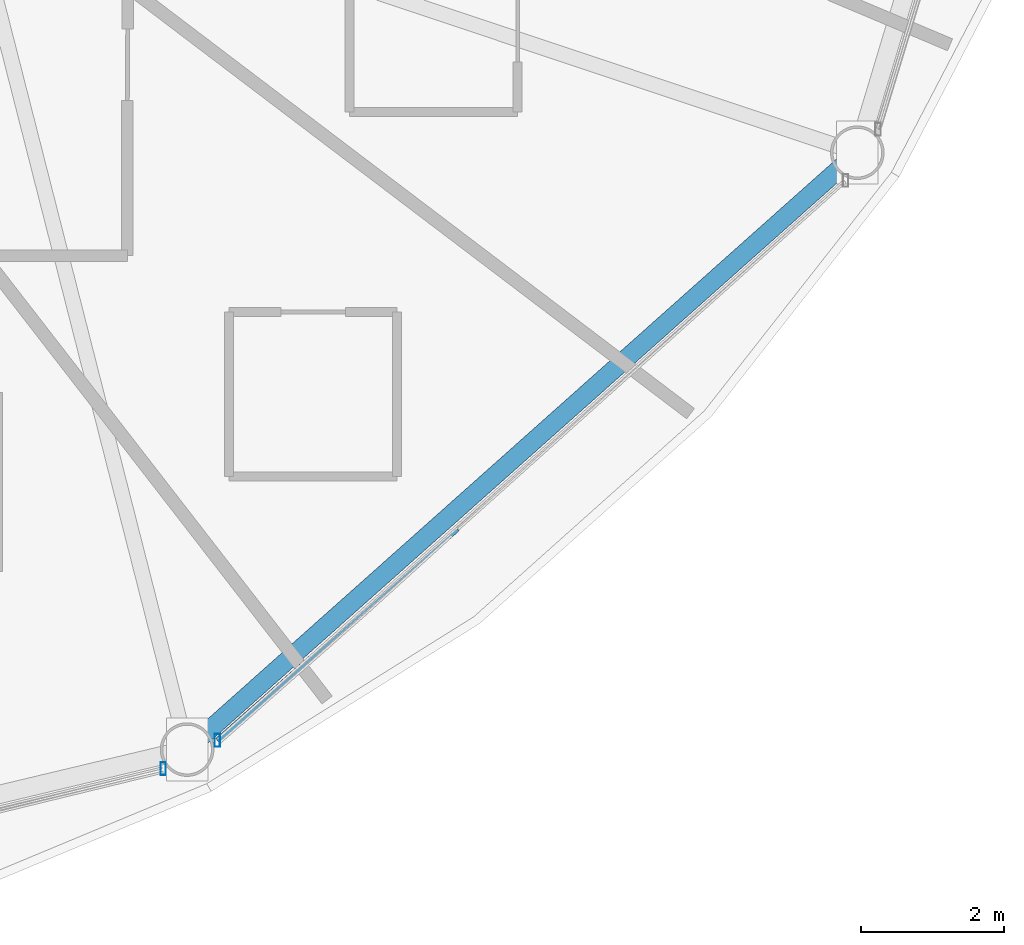
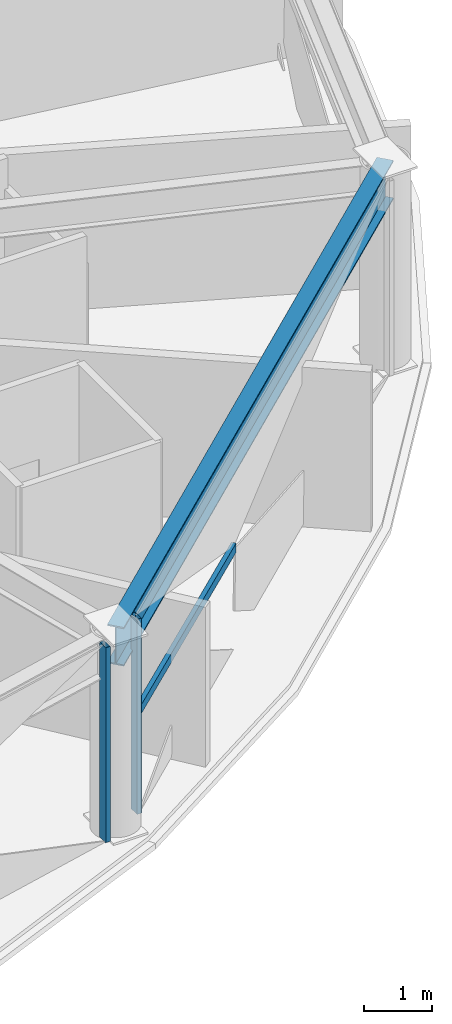
# One storey, part 9 of 32: 3 members, 1 beam, 2 elements without a shape of their own.
"""IFC4 building model written with IfcOpenShell, lengths in metres."""

from ifc_helpers import new_model, si_unit, direction, frame, origin, origin_2d, place, context, subcontext, project, spatial, hollow_rectangle, i_section, extrude, material, layer, layer_set, material_profile, profile_set, type_object, element, aggregate, save


model = new_model("IFC4")

# Units and contexts
model_context = context("Model", 3, precision=1e-05, world=origin(), true_north=direction((0.0, 1.0)))
body_context = subcontext(model_context, "Body", "Model", "MODEL_VIEW")
ifc_project = project(units=[si_unit("LENGTHUNIT", "METRE"), si_unit("AREAUNIT", "SQUARE_METRE"), si_unit("VOLUMEUNIT", "CUBIC_METRE"), si_unit("PLANEANGLEUNIT", "RADIAN"), si_unit("MASSUNIT", "GRAM", prefix="KILO")], contexts=[model_context])

# Site, building, storey
site_placement = place(None, origin())
site = spatial("IfcSite", under=ifc_project, at=site_placement, CompositionType="ELEMENT")
building_placement = place(site_placement, origin())
building = spatial("IfcBuilding", under=site, at=building_placement, Name="Vantalir Tower", CompositionType="ELEMENT")
storey_placement = place(building_placement, frame((0.0, 0.0, 100.949951171875)))
storey = spatial("IfcBuildingStorey", under=building, at=storey_placement, Name="L24", CompositionType="ELEMENT", Elevation=100.949951171875)

# Beam
ifc_material_1 = material(Name="Steel S460", Category="steel")
ifc_material_profile_1 = material_profile(ifc_material_1, i_section(OverallWidth=0.256103515625, OverallDepth=0.693115234375, WebThickness=0.014404296875, FlangeThickness=0.023681640625, at=origin_2d()), Name="Steel S460")
ifc_profile_set_1 = profile_set([ifc_material_profile_1], Name="Steel S460")
beam_type = type_object("IfcBeamType", Name="BM-RG-686x254", PredefinedType="USERDEFINED", material=ifc_profile_set_1)
beam_placement = place(storey_placement, frame((44.2939453125, 5.264892578125, 3.22314453125), z_axis=(0.746784993974, 0.665065540211, 0.0), x_axis=(-0.665065540211, 0.746784993974, 0.0)))
element("IfcBeam", 1, at=beam_placement, inside=storey, type_object=beam_type, Name="L24 Circumferential Ring Girder 11", ObjectType="GIRDER", PredefinedType="USERDEFINED", context=body_context, shape_type="SweptSolid", body=[
    extrude(i_section(OverallWidth=0.256103515625, OverallDepth=0.693115234375, WebThickness=0.014404296875, FlangeThickness=0.023681640625, at=origin_2d()), origin(), (0.0, 0.0, 1.0), 12.541748046875),
])

# Curtain wall, member
ifc_material_2 = material(Name="Champagne-silver PVDF aluminium and double-silver Low-E glass", Category="aluminium")
ifc_layer = layer(ifc_material_2, 0.199951171875)
ifc_layer_set = layer_set([ifc_layer], Name="Champagne-silver PVDF aluminium and double-silver Low-E glass")
curtain_wall_type = type_object("IfcCurtainWallType", Name="CW-DIAMOND-Z2", PredefinedType="USERDEFINED", material=ifc_layer_set)
curtain_wall_1_placement = place(storey_placement, origin())
curtain_wall_1 = element("IfcCurtainWall", 2, at=curtain_wall_1_placement, inside=storey, type_object=curtain_wall_type, Name="L24 Quilted Pyramid-Diamond Curtain Wall S10", ObjectType="UNITISED CURTAIN WALL", PredefinedType="USERDEFINED")
ifc_material_3 = material(Name="Champagne-silver PVDF aluminium 6063-T6", Category="aluminium")
ifc_material_profile_2 = material_profile(ifc_material_3, hollow_rectangle(XDim=0.074951171875, YDim=0.179931640625, WallThickness=0.00390625, at=origin_2d()), Name="Champagne-silver PVDF aluminium 6063-T6")
ifc_profile_set_2 = profile_set([ifc_material_profile_2], Name="Champagne-silver PVDF aluminium 6063-T6")
member_type_1 = type_object("IfcMemberType", Name="CWM-180x75", PredefinedType="MULLION", material=ifc_profile_set_2)
member_1_placement = place(storey_placement, frame((43.9609375, 4.998046875, 0.045166015625), z_axis=(0.0, 0.0, 1.0), x_axis=(1.0, 0.0, 0.0)))
member_1 = element("IfcMember", 3, at=member_1_placement, type_object=member_type_1, Name="CW-L24-S10 Mullion 2", PredefinedType="MULLION", context=body_context, shape_type="SweptSolid", body=[
    extrude(hollow_rectangle(XDim=0.074951171875, YDim=0.179931640625, WallThickness=0.00390625, at=origin_2d()), origin(), (0.0, 0.0, 1.0), 3.47998046875),
])
aggregate(curtain_wall_1, [member_1])

# Curtain wall, members
curtain_wall_2_placement = place(storey_placement, origin())
curtain_wall_2 = element("IfcCurtainWall", 4, at=curtain_wall_2_placement, inside=storey, type_object=curtain_wall_type, Name="L24 Quilted Pyramid-Diamond Curtain Wall S11", ObjectType="UNITISED CURTAIN WALL", PredefinedType="USERDEFINED")
member_2_placement = place(storey_placement, frame((44.717041015625, 5.39306640625, 0.045166015625), z_axis=(0.0, 0.0, 1.0), x_axis=(1.0, 0.0, 0.0)))
member_2 = element("IfcMember", 5, at=member_2_placement, type_object=member_type_1, Name="CW-L24-S11 Mullion 1", PredefinedType="MULLION", context=body_context, shape_type="SweptSolid", body=[
    extrude(hollow_rectangle(XDim=0.074951171875, YDim=0.179931640625, WallThickness=0.00390625, at=origin_2d()), origin(), (0.0, 0.0, 1.0), 3.47998046875),
])
ifc_material_profile_3 = material_profile(ifc_material_3, hollow_rectangle(XDim=0.074951171875, YDim=0.159912109375, WallThickness=0.00390625, at=origin_2d()), Name="Champagne-silver PVDF aluminium 6063-T6")
ifc_profile_set_3 = profile_set([ifc_material_profile_3], Name="Champagne-silver PVDF aluminium 6063-T6")
member_type_2 = type_object("IfcMemberType", Name="CWT-160x75", PredefinedType="USERDEFINED", material=ifc_profile_set_3)
member_3_placement = place(storey_placement, frame((44.717041015625, 5.39306640625, 1.78515625), z_axis=(0.750115126779, 0.661307263364, 0.0), x_axis=(-0.661307263364, 0.750115126779, 0.0)))
member_3 = element("IfcMember", 6, at=member_3_placement, type_object=member_type_2, Name="CW-L24-S11 Pyramid Fold Ridge Transom", ObjectType="TRANSOM", PredefinedType="USERDEFINED", context=body_context, shape_type="SweptSolid", body=[
    extrude(hollow_rectangle(XDim=0.074951171875, YDim=0.159912109375, WallThickness=0.00390625, at=origin_2d()), origin(), (0.0, 0.0, 1.0), 4.469970703125),
])
aggregate(curtain_wall_2, [member_2, member_3])

save(model, "model.ifc")
